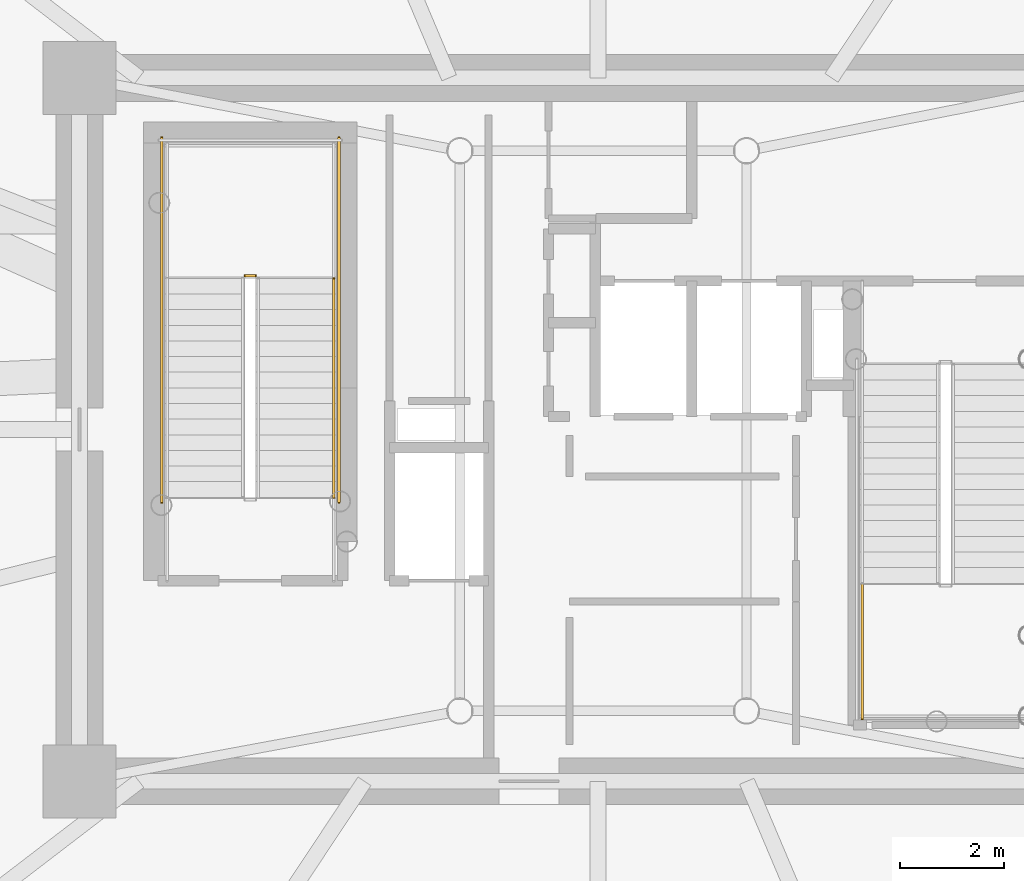
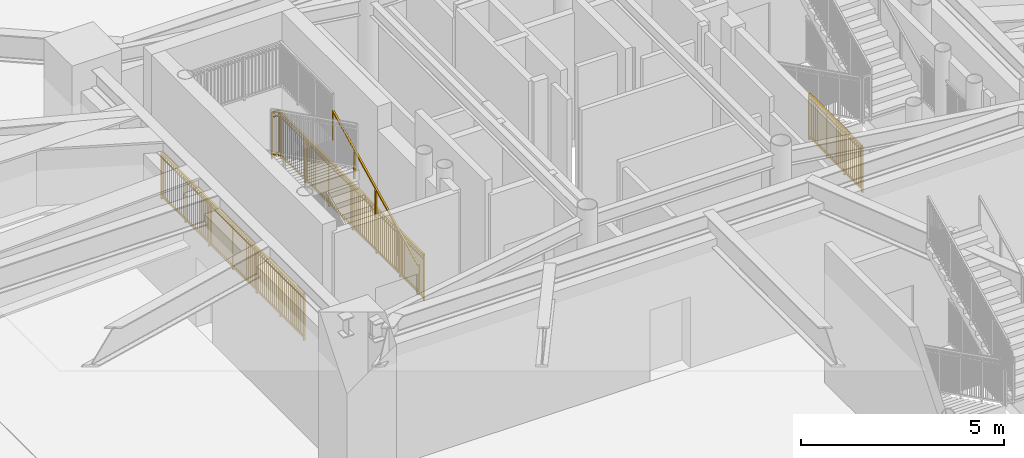
# One storey, part 17 of 21: 5 railings.
"""IFC4 building model written with IfcOpenShell, lengths in metres."""

from ifc_helpers import new_model, si_unit, direction, frame, origin, origin_2d, place, context, subcontext, project, spatial, rectangle, extrude, source, transform, mapped, material, type_object, element, save


model = new_model("IFC4")

# Units and contexts
model_context = context("Model", 3, precision=1e-05, world=origin(), true_north=direction((0.0, 1.0)))
body_context = subcontext(model_context, "Body", "Model", "MODEL_VIEW")
ifc_project = project(units=[si_unit("LENGTHUNIT", "METRE"), si_unit("AREAUNIT", "SQUARE_METRE"), si_unit("VOLUMEUNIT", "CUBIC_METRE"), si_unit("PLANEANGLEUNIT", "RADIAN"), si_unit("MASSUNIT", "GRAM", prefix="KILO")], contexts=[model_context])

# Site, building, storey
site_placement = place(None, origin())
site = spatial("IfcSite", under=ifc_project, at=site_placement, CompositionType="ELEMENT")
building_placement = place(site_placement, origin())
building = spatial("IfcBuilding", under=site, at=building_placement, Name="Linh Dai School and Residence Tower", CompositionType="ELEMENT")
storey_placement = place(building_placement, frame((0.0, 0.0, -4.5)))
storey = spatial("IfcBuildingStorey", under=building, at=storey_placement, Name="B01", CompositionType="ELEMENT", Elevation=-4.5)

# Railings
ifc_material_1 = material(Name="Structural Steel S355JR", Category="steel")
railing_type_1 = type_object("IfcRailingType", Name="RL-ST-GUARD-1400", PredefinedType="GUARDRAIL", material=ifc_material_1)
shared_shape_1 = source(origin(), body_context, "Body", "SweptSolid", [
    extrude(rectangle(XDim=0.048095703125, YDim=0.048095703125, at=origin_2d()), frame((0.0, 0.0, 1.3759765625), z_axis=(-1.0, 0.0, 0.0), x_axis=(0.0, -1.0, 0.0)), (0.0, 0.0, 1.0), 0.199951171875),
    extrude(rectangle(XDim=0.048095703125, YDim=0.048095703125, at=origin_2d()), frame((0.0, 0.0, 0.10009765625), z_axis=(-1.0, 0.0, 0.0), x_axis=(0.0, -1.0, 0.0)), (0.0, 0.0, 1.0), 0.199951171875),
    extrude(rectangle(XDim=0.030029296875, YDim=0.030029296875, at=origin_2d()), frame((0.0, 0.0, 1.239990234375), z_axis=(-1.0, 0.0, 0.0), x_axis=(0.0, -1.0, 0.0)), (0.0, 0.0, 1.0), 0.199951171875),
    extrude(rectangle(XDim=0.0419921875, YDim=0.0419921875, at=origin_2d()), origin(), (0.0, 0.0, 1.0), 1.3759765625),
    extrude(rectangle(XDim=0.0419921875, YDim=0.0419921875, at=origin_2d()), frame((-0.199951171875, 0.0, 0.0)), (0.0, 0.0, 1.0), 1.3759765625),
])
railing_1_placement = place(storey_placement, frame((29.429931640625, 29.949951171875, 2.25)))
element("IfcRailing", 1, at=railing_1_placement, inside=storey, type_object=railing_type_1, Name="B01 ST1 stair guard 2", PredefinedType="GUARDRAIL", context=body_context, shape_type="MappedRepresentation", body=[
    mapped(shared_shape_1, transform((0.0, 0.0, 0.0), x_axis=(1.0, 0.0, 0.0), y_axis=(0.0, 1.0, 0.0), z_axis=(0.0, 0.0, 1.0), scale=1.0)),
])
ifc_material_2 = material(Name="Brushed Stainless Steel Handrail", Category="steel")
railing_type_2 = type_object("IfcRailingType", Name="RL-ST-HANDRAIL-900", PredefinedType="HANDRAIL", material=ifc_material_2)
shared_shape_2 = source(origin(), body_context, "Body", "SweptSolid", [
    extrude(rectangle(XDim=0.048095703125, YDim=0.048095703125, at=origin_2d()), frame((0.0, 0.0, 0.8759765625), z_axis=(0.0, 0.894416792377, 0.447234392142), x_axis=(-1.0, 0.0, 0.0)), (0.0, 0.0, 1.0), 4.69580078125),
    extrude(rectangle(XDim=0.0419921875, YDim=0.0419921875, at=origin_2d()), origin(), (0.0, 0.0, 1.0), 0.8759765625),
    extrude(rectangle(XDim=0.0419921875, YDim=0.0419921875, at=origin_2d()), frame((0.0, 1.050048828125, 0.52490234375)), (0.0, 0.0, 1.0), 0.8759765625),
    extrude(rectangle(XDim=0.0419921875, YDim=0.0419921875, at=origin_2d()), frame((0.0, 2.10009765625, 1.050048828125)), (0.0, 0.0, 1.0), 0.8759765625),
    extrude(rectangle(XDim=0.0419921875, YDim=0.0419921875, at=origin_2d()), frame((0.0, 3.14990234375, 1.5751953125)), (0.0, 0.0, 1.0), 0.8759765625),
    extrude(rectangle(XDim=0.0419921875, YDim=0.0419921875, at=origin_2d()), frame((0.0, 4.199951171875, 2.10009765625)), (0.0, 0.0, 1.0), 0.8759765625),
])
railing_2_placement = place(storey_placement, frame((30.929931640625, 25.699951171875, 0.14990234375)))
element("IfcRailing", 2, at=railing_2_placement, inside=storey, type_object=railing_type_2, Name="B01 ST1 stair handrail 1", PredefinedType="HANDRAIL", context=body_context, shape_type="MappedRepresentation", body=[
    mapped(shared_shape_2, transform((0.0, 0.0, 0.0), x_axis=(1.0, 0.0, 0.0), y_axis=(0.0, 1.0, 0.0), z_axis=(0.0, 0.0, 1.0), scale=1.0)),
])
shared_shape_3 = source(origin(), body_context, "Body", "SweptSolid", [
    extrude(rectangle(XDim=0.048095703125, YDim=0.048095703125, at=origin_2d()), frame((0.0, 0.0, 1.3759765625), z_axis=(0.0, 1.0, 0.0), x_axis=(-1.0, 0.0, 0.0)), (0.0, 0.0, 1.0), 7.0),
    extrude(rectangle(XDim=0.048095703125, YDim=0.048095703125, at=origin_2d()), frame((0.0, 0.0, 0.10009765625), z_axis=(0.0, 1.0, 0.0), x_axis=(-1.0, 0.0, 0.0)), (0.0, 0.0, 1.0), 7.0),
    extrude(rectangle(XDim=0.030029296875, YDim=0.030029296875, at=origin_2d()), frame((0.0, 0.0, 1.239990234375), z_axis=(0.0, 1.0, 0.0), x_axis=(-1.0, 0.0, 0.0)), (0.0, 0.0, 1.0), 7.0),
    extrude(rectangle(XDim=0.02001953125, YDim=0.02001953125, at=origin_2d()), frame((0.0, 0.09716796875, 0.10009765625)), (0.0, 0.0, 1.0), 1.251708984375),
    extrude(rectangle(XDim=0.02001953125, YDim=0.02001953125, at=origin_2d()), frame((0.0, 0.1943359375, 0.10009765625)), (0.0, 0.0, 1.0), 1.251708984375),
    extrude(rectangle(XDim=0.02001953125, YDim=0.02001953125, at=origin_2d()), frame((0.0, 0.291748046875, 0.10009765625)), (0.0, 0.0, 1.0), 1.251708984375),
    extrude(rectangle(XDim=0.02001953125, YDim=0.02001953125, at=origin_2d()), frame((0.0, 0.388916015625, 0.10009765625)), (0.0, 0.0, 1.0), 1.251708984375),
    extrude(rectangle(XDim=0.02001953125, YDim=0.02001953125, at=origin_2d()), frame((0.0, 0.486083984375, 0.10009765625)), (0.0, 0.0, 1.0), 1.251708984375),
    extrude(rectangle(XDim=0.02001953125, YDim=0.02001953125, at=origin_2d()), frame((0.0, 0.583251953125, 0.10009765625)), (0.0, 0.0, 1.0), 1.251708984375),
    extrude(rectangle(XDim=0.02001953125, YDim=0.02001953125, at=origin_2d()), frame((0.0, 0.6806640625, 0.10009765625)), (0.0, 0.0, 1.0), 1.251708984375),
    extrude(rectangle(XDim=0.02001953125, YDim=0.02001953125, at=origin_2d()), frame((0.0, 0.77783203125, 0.10009765625)), (0.0, 0.0, 1.0), 1.251708984375),
    extrude(rectangle(XDim=0.02001953125, YDim=0.02001953125, at=origin_2d()), frame((0.0, 0.875, 0.10009765625)), (0.0, 0.0, 1.0), 1.251708984375),
    extrude(rectangle(XDim=0.02001953125, YDim=0.02001953125, at=origin_2d()), frame((0.0, 0.97216796875, 0.10009765625)), (0.0, 0.0, 1.0), 1.251708984375),
    extrude(rectangle(XDim=0.02001953125, YDim=0.02001953125, at=origin_2d()), frame((0.0, 1.0693359375, 0.10009765625)), (0.0, 0.0, 1.0), 1.251708984375),
    extrude(rectangle(XDim=0.02001953125, YDim=0.02001953125, at=origin_2d()), frame((0.0, 1.263916015625, 0.10009765625)), (0.0, 0.0, 1.0), 1.251708984375),
    extrude(rectangle(XDim=0.02001953125, YDim=0.02001953125, at=origin_2d()), frame((0.0, 1.361083984375, 0.10009765625)), (0.0, 0.0, 1.0), 1.251708984375),
    extrude(rectangle(XDim=0.02001953125, YDim=0.02001953125, at=origin_2d()), frame((0.0, 1.458251953125, 0.10009765625)), (0.0, 0.0, 1.0), 1.251708984375),
    extrude(rectangle(XDim=0.02001953125, YDim=0.02001953125, at=origin_2d()), frame((0.0, 1.5556640625, 0.10009765625)), (0.0, 0.0, 1.0), 1.251708984375),
    extrude(rectangle(XDim=0.02001953125, YDim=0.02001953125, at=origin_2d()), frame((0.0, 1.65283203125, 0.10009765625)), (0.0, 0.0, 1.0), 1.251708984375),
    extrude(rectangle(XDim=0.02001953125, YDim=0.02001953125, at=origin_2d()), frame((0.0, 1.75, 0.10009765625)), (0.0, 0.0, 1.0), 1.251708984375),
    extrude(rectangle(XDim=0.02001953125, YDim=0.02001953125, at=origin_2d()), frame((0.0, 1.84716796875, 0.10009765625)), (0.0, 0.0, 1.0), 1.251708984375),
    extrude(rectangle(XDim=0.02001953125, YDim=0.02001953125, at=origin_2d()), frame((0.0, 1.9443359375, 0.10009765625)), (0.0, 0.0, 1.0), 1.251708984375),
    extrude(rectangle(XDim=0.02001953125, YDim=0.02001953125, at=origin_2d()), frame((0.0, 2.041748046875, 0.10009765625)), (0.0, 0.0, 1.0), 1.251708984375),
    extrude(rectangle(XDim=0.02001953125, YDim=0.02001953125, at=origin_2d()), frame((0.0, 2.138916015625, 0.10009765625)), (0.0, 0.0, 1.0), 1.251708984375),
    extrude(rectangle(XDim=0.02001953125, YDim=0.02001953125, at=origin_2d()), frame((0.0, 2.236083984375, 0.10009765625)), (0.0, 0.0, 1.0), 1.251708984375),
    extrude(rectangle(XDim=0.02001953125, YDim=0.02001953125, at=origin_2d()), frame((0.0, 2.4306640625, 0.10009765625)), (0.0, 0.0, 1.0), 1.251708984375),
    extrude(rectangle(XDim=0.02001953125, YDim=0.02001953125, at=origin_2d()), frame((0.0, 2.52783203125, 0.10009765625)), (0.0, 0.0, 1.0), 1.251708984375),
    extrude(rectangle(XDim=0.02001953125, YDim=0.02001953125, at=origin_2d()), frame((0.0, 2.625, 0.10009765625)), (0.0, 0.0, 1.0), 1.251708984375),
    extrude(rectangle(XDim=0.02001953125, YDim=0.02001953125, at=origin_2d()), frame((0.0, 2.72216796875, 0.10009765625)), (0.0, 0.0, 1.0), 1.251708984375),
    extrude(rectangle(XDim=0.02001953125, YDim=0.02001953125, at=origin_2d()), frame((0.0, 2.8193359375, 0.10009765625)), (0.0, 0.0, 1.0), 1.251708984375),
    extrude(rectangle(XDim=0.02001953125, YDim=0.02001953125, at=origin_2d()), frame((0.0, 2.916748046875, 0.10009765625)), (0.0, 0.0, 1.0), 1.251708984375),
    extrude(rectangle(XDim=0.02001953125, YDim=0.02001953125, at=origin_2d()), frame((0.0, 3.013916015625, 0.10009765625)), (0.0, 0.0, 1.0), 1.251708984375),
    extrude(rectangle(XDim=0.02001953125, YDim=0.02001953125, at=origin_2d()), frame((0.0, 3.111083984375, 0.10009765625)), (0.0, 0.0, 1.0), 1.251708984375),
    extrude(rectangle(XDim=0.02001953125, YDim=0.02001953125, at=origin_2d()), frame((0.0, 3.208251953125, 0.10009765625)), (0.0, 0.0, 1.0), 1.251708984375),
    extrude(rectangle(XDim=0.02001953125, YDim=0.02001953125, at=origin_2d()), frame((0.0, 3.3056640625, 0.10009765625)), (0.0, 0.0, 1.0), 1.251708984375),
    extrude(rectangle(XDim=0.02001953125, YDim=0.02001953125, at=origin_2d()), frame((0.0, 3.40283203125, 0.10009765625)), (0.0, 0.0, 1.0), 1.251708984375),
    extrude(rectangle(XDim=0.02001953125, YDim=0.02001953125, at=origin_2d()), frame((0.0, 3.59716796875, 0.10009765625)), (0.0, 0.0, 1.0), 1.251708984375),
    extrude(rectangle(XDim=0.02001953125, YDim=0.02001953125, at=origin_2d()), frame((0.0, 3.6943359375, 0.10009765625)), (0.0, 0.0, 1.0), 1.251708984375),
    extrude(rectangle(XDim=0.02001953125, YDim=0.02001953125, at=origin_2d()), frame((0.0, 3.791748046875, 0.10009765625)), (0.0, 0.0, 1.0), 1.251708984375),
    extrude(rectangle(XDim=0.02001953125, YDim=0.02001953125, at=origin_2d()), frame((0.0, 3.888916015625, 0.10009765625)), (0.0, 0.0, 1.0), 1.251708984375),
    extrude(rectangle(XDim=0.02001953125, YDim=0.02001953125, at=origin_2d()), frame((0.0, 3.986083984375, 0.10009765625)), (0.0, 0.0, 1.0), 1.251708984375),
    extrude(rectangle(XDim=0.02001953125, YDim=0.02001953125, at=origin_2d()), frame((0.0, 4.083251953125, 0.10009765625)), (0.0, 0.0, 1.0), 1.251708984375),
    extrude(rectangle(XDim=0.02001953125, YDim=0.02001953125, at=origin_2d()), frame((0.0, 4.1806640625, 0.10009765625)), (0.0, 0.0, 1.0), 1.251708984375),
    extrude(rectangle(XDim=0.02001953125, YDim=0.02001953125, at=origin_2d()), frame((0.0, 4.27783203125, 0.10009765625)), (0.0, 0.0, 1.0), 1.251708984375),
    extrude(rectangle(XDim=0.02001953125, YDim=0.02001953125, at=origin_2d()), frame((0.0, 4.375, 0.10009765625)), (0.0, 0.0, 1.0), 1.251708984375),
    extrude(rectangle(XDim=0.02001953125, YDim=0.02001953125, at=origin_2d()), frame((0.0, 4.47216796875, 0.10009765625)), (0.0, 0.0, 1.0), 1.251708984375),
    extrude(rectangle(XDim=0.02001953125, YDim=0.02001953125, at=origin_2d()), frame((0.0, 4.5693359375, 0.10009765625)), (0.0, 0.0, 1.0), 1.251708984375),
    extrude(rectangle(XDim=0.02001953125, YDim=0.02001953125, at=origin_2d()), frame((0.0, 4.763916015625, 0.10009765625)), (0.0, 0.0, 1.0), 1.251708984375),
    extrude(rectangle(XDim=0.02001953125, YDim=0.02001953125, at=origin_2d()), frame((0.0, 4.861083984375, 0.10009765625)), (0.0, 0.0, 1.0), 1.251708984375),
    extrude(rectangle(XDim=0.02001953125, YDim=0.02001953125, at=origin_2d()), frame((0.0, 4.958251953125, 0.10009765625)), (0.0, 0.0, 1.0), 1.251708984375),
    extrude(rectangle(XDim=0.02001953125, YDim=0.02001953125, at=origin_2d()), frame((0.0, 5.0556640625, 0.10009765625)), (0.0, 0.0, 1.0), 1.251708984375),
    extrude(rectangle(XDim=0.02001953125, YDim=0.02001953125, at=origin_2d()), frame((0.0, 5.15283203125, 0.10009765625)), (0.0, 0.0, 1.0), 1.251708984375),
    extrude(rectangle(XDim=0.02001953125, YDim=0.02001953125, at=origin_2d()), frame((0.0, 5.25, 0.10009765625)), (0.0, 0.0, 1.0), 1.251708984375),
    extrude(rectangle(XDim=0.02001953125, YDim=0.02001953125, at=origin_2d()), frame((0.0, 5.34716796875, 0.10009765625)), (0.0, 0.0, 1.0), 1.251708984375),
    extrude(rectangle(XDim=0.02001953125, YDim=0.02001953125, at=origin_2d()), frame((0.0, 5.4443359375, 0.10009765625)), (0.0, 0.0, 1.0), 1.251708984375),
    extrude(rectangle(XDim=0.02001953125, YDim=0.02001953125, at=origin_2d()), frame((0.0, 5.541748046875, 0.10009765625)), (0.0, 0.0, 1.0), 1.251708984375),
    extrude(rectangle(XDim=0.02001953125, YDim=0.02001953125, at=origin_2d()), frame((0.0, 5.638916015625, 0.10009765625)), (0.0, 0.0, 1.0), 1.251708984375),
    extrude(rectangle(XDim=0.02001953125, YDim=0.02001953125, at=origin_2d()), frame((0.0, 5.736083984375, 0.10009765625)), (0.0, 0.0, 1.0), 1.251708984375),
    extrude(rectangle(XDim=0.02001953125, YDim=0.02001953125, at=origin_2d()), frame((0.0, 5.9306640625, 0.10009765625)), (0.0, 0.0, 1.0), 1.251708984375),
    extrude(rectangle(XDim=0.02001953125, YDim=0.02001953125, at=origin_2d()), frame((0.0, 6.02783203125, 0.10009765625)), (0.0, 0.0, 1.0), 1.251708984375),
    extrude(rectangle(XDim=0.02001953125, YDim=0.02001953125, at=origin_2d()), frame((0.0, 6.125, 0.10009765625)), (0.0, 0.0, 1.0), 1.251708984375),
    extrude(rectangle(XDim=0.02001953125, YDim=0.02001953125, at=origin_2d()), frame((0.0, 6.22216796875, 0.10009765625)), (0.0, 0.0, 1.0), 1.251708984375),
    extrude(rectangle(XDim=0.02001953125, YDim=0.02001953125, at=origin_2d()), frame((0.0, 6.3193359375, 0.10009765625)), (0.0, 0.0, 1.0), 1.251708984375),
    extrude(rectangle(XDim=0.02001953125, YDim=0.02001953125, at=origin_2d()), frame((0.0, 6.416748046875, 0.10009765625)), (0.0, 0.0, 1.0), 1.251708984375),
    extrude(rectangle(XDim=0.02001953125, YDim=0.02001953125, at=origin_2d()), frame((0.0, 6.513916015625, 0.10009765625)), (0.0, 0.0, 1.0), 1.251708984375),
    extrude(rectangle(XDim=0.02001953125, YDim=0.02001953125, at=origin_2d()), frame((0.0, 6.611083984375, 0.10009765625)), (0.0, 0.0, 1.0), 1.251708984375),
    extrude(rectangle(XDim=0.02001953125, YDim=0.02001953125, at=origin_2d()), frame((0.0, 6.708251953125, 0.10009765625)), (0.0, 0.0, 1.0), 1.251708984375),
    extrude(rectangle(XDim=0.02001953125, YDim=0.02001953125, at=origin_2d()), frame((0.0, 6.8056640625, 0.10009765625)), (0.0, 0.0, 1.0), 1.251708984375),
    extrude(rectangle(XDim=0.02001953125, YDim=0.02001953125, at=origin_2d()), frame((0.0, 6.90283203125, 0.10009765625)), (0.0, 0.0, 1.0), 1.251708984375),
    extrude(rectangle(XDim=0.0419921875, YDim=0.0419921875, at=origin_2d()), origin(), (0.0, 0.0, 1.0), 1.3759765625),
    extrude(rectangle(XDim=0.0419921875, YDim=0.0419921875, at=origin_2d()), frame((0.0, 1.166748046875, 0.0)), (0.0, 0.0, 1.0), 1.3759765625),
    extrude(rectangle(XDim=0.0419921875, YDim=0.0419921875, at=origin_2d()), frame((0.0, 2.333251953125, 0.0)), (0.0, 0.0, 1.0), 1.3759765625),
    extrude(rectangle(XDim=0.0419921875, YDim=0.0419921875, at=origin_2d()), frame((0.0, 3.5, 0.0)), (0.0, 0.0, 1.0), 1.3759765625),
    extrude(rectangle(XDim=0.0419921875, YDim=0.0419921875, at=origin_2d()), frame((0.0, 4.666748046875, 0.0)), (0.0, 0.0, 1.0), 1.3759765625),
    extrude(rectangle(XDim=0.0419921875, YDim=0.0419921875, at=origin_2d()), frame((0.0, 5.833251953125, 0.0)), (0.0, 0.0, 1.0), 1.3759765625),
    extrude(rectangle(XDim=0.0419921875, YDim=0.0419921875, at=origin_2d()), frame((0.0, 7.0, 0.0)), (0.0, 0.0, 1.0), 1.3759765625),
])
for number, where, name in (
    (3, (31.030029296875, 25.60009765625, 0.0), "B01 ST1 stair guard 10"),
    (4, (27.6298828125, 25.60009765625, 0.0), "B01 ST1 stair guard 11"),
):
    element("IfcRailing", number, at=place(storey_placement, frame(where)), inside=storey, type_object=railing_type_1, Name=name, PredefinedType="GUARDRAIL", context=body_context, shape_type="MappedRepresentation", body=[
        mapped(shared_shape_3, transform((0.0, 0.0, 0.0), x_axis=(1.0, 0.0, 0.0), y_axis=(0.0, 1.0, 0.0), z_axis=(0.0, 0.0, 1.0), scale=1.0)),
    ])
shared_shape_4 = source(origin(), body_context, "Body", "SweptSolid", [
    extrude(rectangle(XDim=0.048095703125, YDim=0.048095703125, at=origin_2d()), frame((0.0, 0.0, 1.3759765625), z_axis=(0.0, -1.0, 0.0), x_axis=(1.0, 0.0, 0.0)), (0.0, 0.0, 1.0), 2.60009765625),
    extrude(rectangle(XDim=0.048095703125, YDim=0.048095703125, at=origin_2d()), frame((0.0, 0.0, 0.10009765625), z_axis=(0.0, -1.0, 0.0), x_axis=(1.0, 0.0, 0.0)), (0.0, 0.0, 1.0), 2.60009765625),
    extrude(rectangle(XDim=0.030029296875, YDim=0.030029296875, at=origin_2d()), frame((0.0, 0.0, 1.239990234375), z_axis=(0.0, -1.0, 0.0), x_axis=(1.0, 0.0, 0.0)), (0.0, 0.0, 1.0), 2.60009765625),
    extrude(rectangle(XDim=0.02001953125, YDim=0.02001953125, at=origin_2d()), frame((0.0, -0.09619140625, 0.10009765625)), (0.0, 0.0, 1.0), 1.251708984375),
    extrude(rectangle(XDim=0.02001953125, YDim=0.02001953125, at=origin_2d()), frame((0.0, -0.192626953125, 0.10009765625)), (0.0, 0.0, 1.0), 1.251708984375),
    extrude(rectangle(XDim=0.02001953125, YDim=0.02001953125, at=origin_2d()), frame((0.0, -0.288818359375, 0.10009765625)), (0.0, 0.0, 1.0), 1.251708984375),
    extrude(rectangle(XDim=0.02001953125, YDim=0.02001953125, at=origin_2d()), frame((0.0, -0.38525390625, 0.10009765625)), (0.0, 0.0, 1.0), 1.251708984375),
    extrude(rectangle(XDim=0.02001953125, YDim=0.02001953125, at=origin_2d()), frame((0.0, -0.4814453125, 0.10009765625)), (0.0, 0.0, 1.0), 1.251708984375),
    extrude(rectangle(XDim=0.02001953125, YDim=0.02001953125, at=origin_2d()), frame((0.0, -0.577880859375, 0.10009765625)), (0.0, 0.0, 1.0), 1.251708984375),
    extrude(rectangle(XDim=0.02001953125, YDim=0.02001953125, at=origin_2d()), frame((0.0, -0.674072265625, 0.10009765625)), (0.0, 0.0, 1.0), 1.251708984375),
    extrude(rectangle(XDim=0.02001953125, YDim=0.02001953125, at=origin_2d()), frame((0.0, -0.7705078125, 0.10009765625)), (0.0, 0.0, 1.0), 1.251708984375),
    extrude(rectangle(XDim=0.02001953125, YDim=0.02001953125, at=origin_2d()), frame((0.0, -0.962890625, 0.10009765625)), (0.0, 0.0, 1.0), 1.251708984375),
    extrude(rectangle(XDim=0.02001953125, YDim=0.02001953125, at=origin_2d()), frame((0.0, -1.059326171875, 0.10009765625)), (0.0, 0.0, 1.0), 1.251708984375),
    extrude(rectangle(XDim=0.02001953125, YDim=0.02001953125, at=origin_2d()), frame((0.0, -1.155517578125, 0.10009765625)), (0.0, 0.0, 1.0), 1.251708984375),
    extrude(rectangle(XDim=0.02001953125, YDim=0.02001953125, at=origin_2d()), frame((0.0, -1.251953125, 0.10009765625)), (0.0, 0.0, 1.0), 1.251708984375),
    extrude(rectangle(XDim=0.02001953125, YDim=0.02001953125, at=origin_2d()), frame((0.0, -1.34814453125, 0.10009765625)), (0.0, 0.0, 1.0), 1.251708984375),
    extrude(rectangle(XDim=0.02001953125, YDim=0.02001953125, at=origin_2d()), frame((0.0, -1.444580078125, 0.10009765625)), (0.0, 0.0, 1.0), 1.251708984375),
    extrude(rectangle(XDim=0.02001953125, YDim=0.02001953125, at=origin_2d()), frame((0.0, -1.540771484375, 0.10009765625)), (0.0, 0.0, 1.0), 1.251708984375),
    extrude(rectangle(XDim=0.02001953125, YDim=0.02001953125, at=origin_2d()), frame((0.0, -1.63720703125, 0.10009765625)), (0.0, 0.0, 1.0), 1.251708984375),
    extrude(rectangle(XDim=0.02001953125, YDim=0.02001953125, at=origin_2d()), frame((0.0, -1.82958984375, 0.10009765625)), (0.0, 0.0, 1.0), 1.251708984375),
    extrude(rectangle(XDim=0.02001953125, YDim=0.02001953125, at=origin_2d()), frame((0.0, -1.926025390625, 0.10009765625)), (0.0, 0.0, 1.0), 1.251708984375),
    extrude(rectangle(XDim=0.02001953125, YDim=0.02001953125, at=origin_2d()), frame((0.0, -2.022216796875, 0.10009765625)), (0.0, 0.0, 1.0), 1.251708984375),
    extrude(rectangle(XDim=0.02001953125, YDim=0.02001953125, at=origin_2d()), frame((0.0, -2.11865234375, 0.10009765625)), (0.0, 0.0, 1.0), 1.251708984375),
    extrude(rectangle(XDim=0.02001953125, YDim=0.02001953125, at=origin_2d()), frame((0.0, -2.21484375, 0.10009765625)), (0.0, 0.0, 1.0), 1.251708984375),
    extrude(rectangle(XDim=0.02001953125, YDim=0.02001953125, at=origin_2d()), frame((0.0, -2.311279296875, 0.10009765625)), (0.0, 0.0, 1.0), 1.251708984375),
    extrude(rectangle(XDim=0.02001953125, YDim=0.02001953125, at=origin_2d()), frame((0.0, -2.407470703125, 0.10009765625)), (0.0, 0.0, 1.0), 1.251708984375),
    extrude(rectangle(XDim=0.02001953125, YDim=0.02001953125, at=origin_2d()), frame((0.0, -2.50390625, 0.10009765625)), (0.0, 0.0, 1.0), 1.251708984375),
    extrude(rectangle(XDim=0.0419921875, YDim=0.0419921875, at=origin_2d()), origin(), (0.0, 0.0, 1.0), 1.3759765625),
    extrude(rectangle(XDim=0.0419921875, YDim=0.0419921875, at=origin_2d()), frame((0.0, -0.86669921875, 0.0)), (0.0, 0.0, 1.0), 1.3759765625),
    extrude(rectangle(XDim=0.0419921875, YDim=0.0419921875, at=origin_2d()), frame((0.0, -1.7333984375, 0.0)), (0.0, 0.0, 1.0), 1.3759765625),
    extrude(rectangle(XDim=0.0419921875, YDim=0.0419921875, at=origin_2d()), frame((0.0, -2.60009765625, 0.0)), (0.0, 0.0, 1.0), 1.3759765625),
])
railing_3_placement = place(storey_placement, frame((41.070068359375, 24.050048828125, 2.25)))
element("IfcRailing", 5, at=railing_3_placement, inside=storey, type_object=railing_type_1, Name="B01 ST2 stair guard 3", PredefinedType="GUARDRAIL", context=body_context, shape_type="MappedRepresentation", body=[
    mapped(shared_shape_4, transform((0.0, 0.0, 0.0), x_axis=(1.0, 0.0, 0.0), y_axis=(0.0, 1.0, 0.0), z_axis=(0.0, 0.0, 1.0), scale=1.0)),
])

save(model, "model.ifc")
